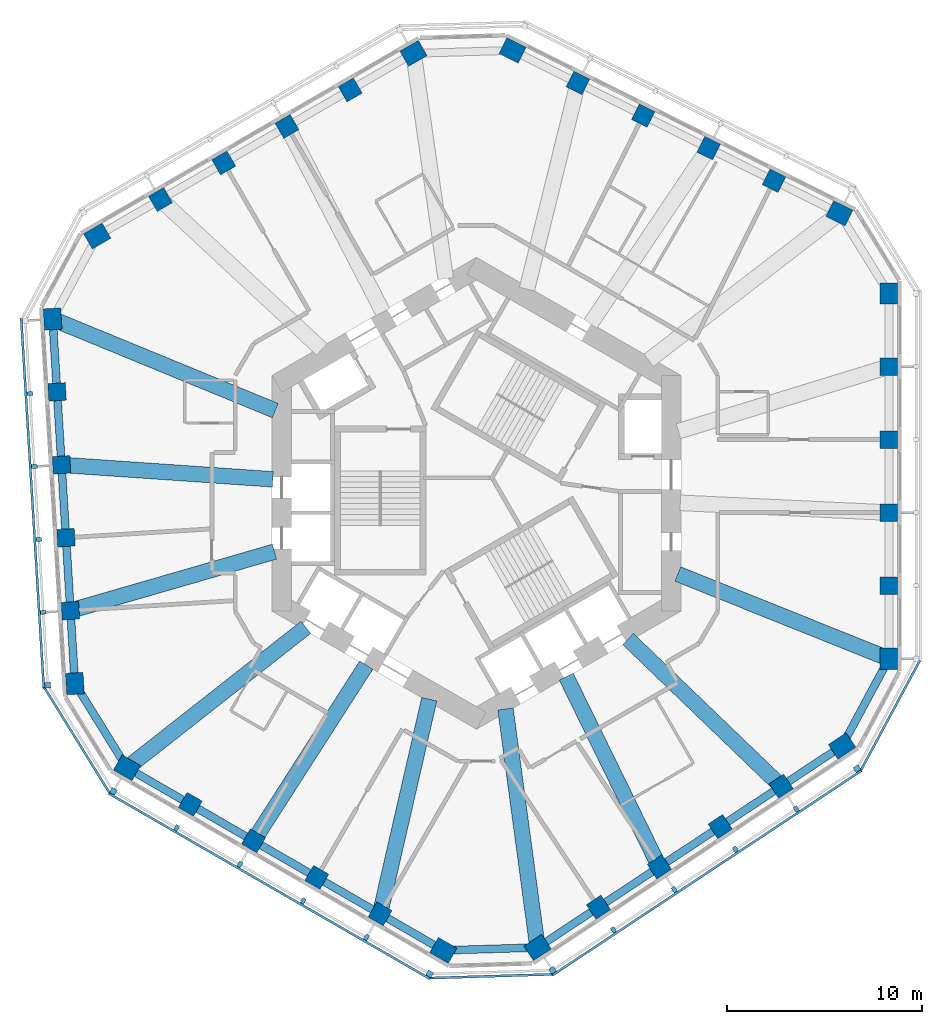
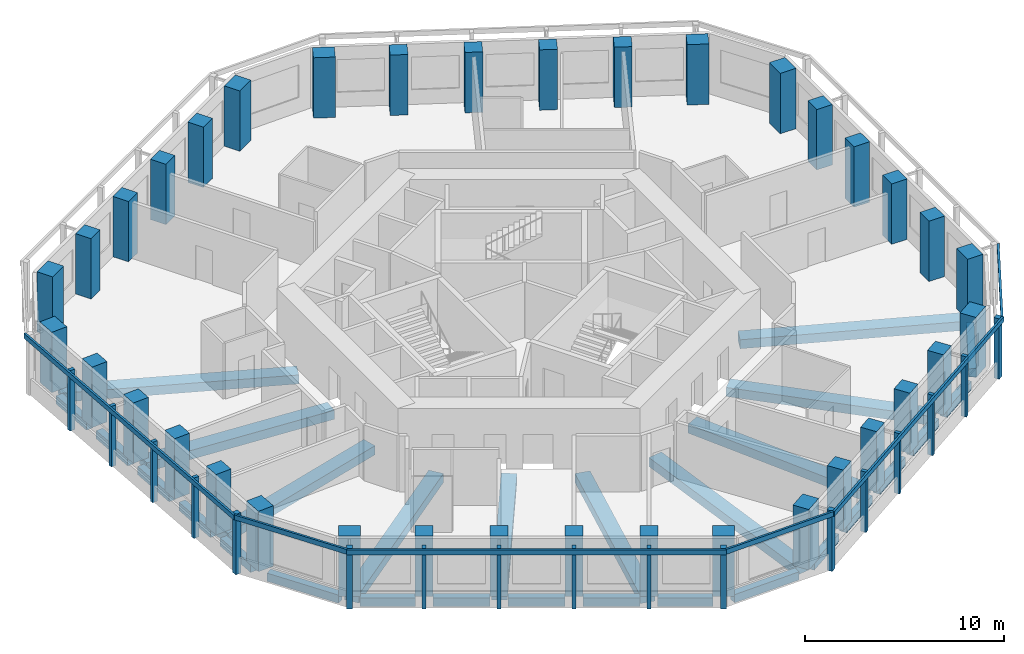
# One storey, part 1 of 11: 36 columns, 28 beams, 23 members, 6 elements without a shape of their own.
"""IFC4 building model written with IfcOpenShell, lengths in metres."""

import ifcopenshell
import ifcopenshell.guid

model = None  # the IFC model being written
_history = None  # IfcOwnerHistory: only IFC2X3 demands one
_inside = {}  # id of a spatial element -> (the spatial element, [elements in it])
_under = {}  # id of a project, library or spatial element -> (it, [spatial elements below it])
_declared = {}  # id of a project -> (the project, [libraries it declares])
_typed = {}  # id of a type object -> (the type object, [elements of that type])
_made_of = {}  # id of a material, layer set ... -> (it, [elements and type objects made of it])


def new_model(schema):
    """Start an empty IFC model of exactly this schema.

    Asked for "IFC4X3", IfcOpenShell would pick the latest addendum, in which some entities
    have other attributes; the version numbers below select the first issue.
    IFC2X3 requires an IfcOwnerHistory on every rooted entity: one is made here for all.
    """
    global model, _history
    if schema == "IFC4X3":
        model = ifcopenshell.file(schema_version=(4, 3, 0, 0))
    else:
        model = ifcopenshell.file(schema=schema)
    _inside.clear()
    _under.clear()
    _declared.clear()
    _typed.clear()
    _made_of.clear()
    _history = None
    if model.schema == "IFC2X3":
        org = make("IfcOrganization", Name="unknown")
        user = make(
            "IfcPersonAndOrganization",
            ThePerson=make("IfcPerson", FamilyName="unknown"),
            TheOrganization=org,
        )
        app = make(
            "IfcApplication",
            ApplicationDeveloper=org,
            Version="unknown",
            ApplicationFullName="unknown",
            ApplicationIdentifier="unknown",
        )
        _history = make(
            "IfcOwnerHistory",
            OwningUser=user,
            OwningApplication=app,
            ChangeAction="ADDED",
            CreationDate=0,
        )
    return model


def make(cls, **values):
    """One entity of the class cls with the attributes given. An attribute that is None is left unset."""
    return model.create_entity(
        cls, **{name: value for name, value in values.items() if value is not None}
    )


def rooted(cls, **values):
    """An entity with a GlobalId (a new one), such as an element, a storey or a relation."""
    return make(cls, GlobalId=ifcopenshell.guid.new(), OwnerHistory=_history, **values)


def si_unit(unit_type, name, prefix=None):
    """IfcSIUnit, for example si_unit("LENGTHUNIT", "METRE", prefix="MILLI")."""
    return make("IfcSIUnit", UnitType=unit_type, Prefix=prefix, Name=name)


def assignment(units):
    """IfcUnitAssignment: the units of a project."""
    return None if units is None else make("IfcUnitAssignment", Units=units)


def point(xyz):
    """IfcCartesianPoint."""
    return None if xyz is None else make("IfcCartesianPoint", Coordinates=xyz)


def direction(xyz):
    """IfcDirection."""
    return None if xyz is None else make("IfcDirection", DirectionRatios=xyz)


def frame(location, z_axis=None, x_axis=None):
    """IfcAxis2Placement3D, a coordinate frame: its origin and axes. An axis left out is left unset."""
    return make(
        "IfcAxis2Placement3D",
        Location=point(location),
        Axis=direction(z_axis),
        RefDirection=direction(x_axis),
    )


def frame_2d(location, x_axis=None):
    """IfcAxis2Placement2D, a coordinate frame in the plane: its origin and x axis."""
    return make(
        "IfcAxis2Placement2D", Location=point(location), RefDirection=direction(x_axis)
    )


def origin():
    """The frame at (0, 0, 0) with its axes left unset."""
    return frame((0.0, 0.0, 0.0))


def origin_2d():
    """The frame at (0, 0) in the plane with its x axis left unset."""
    return frame_2d((0.0, 0.0))


def place(relative_to, where):
    """IfcLocalPlacement: puts the frame where relative to a parent placement (None: the world)."""
    return make(
        "IfcLocalPlacement", PlacementRelTo=relative_to, RelativePlacement=where
    )


def context(
    kind, dimensions, precision=None, world=None, true_north=None, identifier=None
):
    """IfcGeometricRepresentationContext, for example the 3D "Model" context."""
    return make(
        "IfcGeometricRepresentationContext",
        ContextIdentifier=identifier,
        ContextType=kind,
        CoordinateSpaceDimension=dimensions,
        Precision=precision,
        WorldCoordinateSystem=world,
        TrueNorth=true_north,
    )


def subcontext(parent, identifier, kind, view, scale=None):
    """IfcGeometricRepresentationSubContext, for example "Body" below "Model"."""
    return make(
        "IfcGeometricRepresentationSubContext",
        ContextIdentifier=identifier,
        ContextType=kind,
        ParentContext=parent,
        TargetScale=scale,
        TargetView=view,
    )


def project(units=None, contexts=None):
    """IfcProject with its units and contexts."""
    return rooted(
        "IfcProject",
        Name="project",
        RepresentationContexts=contexts,
        UnitsInContext=assignment(units),
    )


def spatial(cls, under=None, at=None, **own):
    """A site, building, storey or space (cls), placed at a placement, below another one or the project."""
    s = rooted(cls, ObjectPlacement=at, **own)
    if under is not None:
        _under.setdefault(under.id(), (under, []))[1].append(s)
    return s


def profile(cls, at=None, kind="AREA", **sizes):
    """A parametric profile (cls). Its sizes go by their IFC names, for example OverallWidth=200.0."""
    return make(cls, ProfileType=kind, Position=at, **sizes)


def rectangle(**sizes):
    """IfcRectangleProfileDef."""
    return profile("IfcRectangleProfileDef", **sizes)


def extrude(swept, where, along, depth):
    """IfcExtrudedAreaSolid: the profile swept, set in the frame where, extruded along a direction by depth."""
    return make(
        "IfcExtrudedAreaSolid",
        SweptArea=swept,
        Position=where,
        ExtrudedDirection=direction(along),
        Depth=depth,
    )


def shape(context_of_items, identifier, shape_type, items):
    """IfcShapeRepresentation: the items that make up one representation, for example the "Body"."""
    return make(
        "IfcShapeRepresentation",
        ContextOfItems=context_of_items,
        RepresentationIdentifier=identifier,
        RepresentationType=shape_type,
        Items=items,
    )


def material(Name=None, Category=None):
    """IfcMaterial."""
    return make("IfcMaterial", Name=Name, Category=Category)


def material_profile(
    of_material, cross_section, Name=None, Category=None, Priority=None
):
    """IfcMaterialProfile: a cross section and its material."""
    return make(
        "IfcMaterialProfile",
        Name=Name,
        Material=of_material,
        Profile=cross_section,
        Priority=Priority,
        Category=Category,
    )


def profile_set(profiles, Name=None, composite=None):
    """IfcMaterialProfileSet."""
    return make(
        "IfcMaterialProfileSet",
        Name=Name,
        MaterialProfiles=profiles,
        CompositeProfile=composite,
    )


def made_of(thing, what):
    """Note that an element or type object is made of a material, layer set ...; save() writes the relation."""
    if what is not None:
        _made_of.setdefault(what.id(), (what, []))[1].append(thing)
    return thing


def type_object(cls, material=None, **own):
    """A type object (cls), such as IfcWallType, which elements share."""
    return made_of(rooted(cls, **own), material)


def element(
    cls,
    number,
    at=None,
    inside=None,
    cuts=None,
    type_object=None,
    material=None,
    context=None,
    identifier="Body",
    shape_type=None,
    held_by="IfcProductDefinitionShape",
    body=None,
    shapes=None,
    **own,
):
    """One element of the class cls, such as IfcWall. Its Tag is "e" and its number.

    at: its placement. inside: the storey or other place that contains it. cuts: it is an
    opening in that element (IfcRelVoidsElement). A single representation is given by context,
    identifier, shape_type and body (its items); several are given by shapes. held_by: the class
    of the entity that holds the representations. save() writes the other relations.
    """
    e = rooted(cls, Tag="e%d" % number, ObjectPlacement=at, **own)
    if body is not None:
        shapes = [shape(context, identifier, shape_type, body)]
    if shapes is not None:
        e.Representation = make(held_by, Representations=shapes)
    if inside is not None:
        _inside.setdefault(inside.id(), (inside, []))[1].append(e)
    if cuts is not None:
        rooted(
            "IfcRelVoidsElement", RelatingBuildingElement=cuts, RelatedOpeningElement=e
        )
    if type_object is not None:
        _typed.setdefault(type_object.id(), (type_object, []))[1].append(e)
    return made_of(e, material)


def aggregate(whole, parts):
    """IfcRelAggregates: a whole, such as a stair, and the parts it consists of."""
    return rooted("IfcRelAggregates", RelatingObject=whole, RelatedObjects=parts)


def save(model, path):
    """Write the relations noted so far, then the file.

    IfcRelAggregates (storeys below a building ...), IfcRelContainedInSpatialStructure (elements
    in a storey), IfcRelDefinesByType, IfcRelAssociatesMaterial and IfcRelDeclares: one each for
    every whole, place, type object, material and project.
    """
    for whole, parts in _under.values():
        aggregate(whole, parts)
    for where, things in _inside.values():
        rooted(
            "IfcRelContainedInSpatialStructure",
            RelatedElements=things,
            RelatingStructure=where,
        )
    for kind, things in _typed.values():
        rooted("IfcRelDefinesByType", RelatedObjects=things, RelatingType=kind)
    for what, things in _made_of.values():
        rooted("IfcRelAssociatesMaterial", RelatedObjects=things, RelatingMaterial=what)
    for by, libraries in _declared.values():
        rooted("IfcRelDeclares", RelatingContext=by, RelatedDefinitions=libraries)
    model.write(path)


model = new_model("IFC4")

# Units and contexts
model_context = context("Model", 3, precision=1e-05, world=origin(), true_north=direction((0.0, 1.0)))
body_context = subcontext(model_context, "Body", "Model", "MODEL_VIEW")
ifc_project = project(units=[si_unit("LENGTHUNIT", "METRE"), si_unit("AREAUNIT", "SQUARE_METRE"), si_unit("VOLUMEUNIT", "CUBIC_METRE"), si_unit("PLANEANGLEUNIT", "RADIAN"), si_unit("MASSUNIT", "GRAM", prefix="KILO")], contexts=[model_context])

# Site, building, storey
site_placement = place(None, origin())
site = spatial("IfcSite", under=ifc_project, at=site_placement, CompositionType="ELEMENT")
building_placement = place(site_placement, origin())
building = spatial("IfcBuilding", under=site, at=building_placement, Name="Vanh Sen Convention Tower", CompositionType="ELEMENT")
storey_placement = place(building_placement, frame((0.0, 0.0, 187.300048828125)))
storey = spatial("IfcBuildingStorey", under=building, at=storey_placement, Name="L46", CompositionType="ELEMENT", Elevation=187.300048828125)

# Columns
ifc_material_1 = material(Name="Concrete C80/95", Category="concrete")
ifc_material_profile_1 = material_profile(ifc_material_1, rectangle(XDim=0.89990234375, YDim=0.89990234375, at=origin_2d()), Name="RC 900X900")
ifc_profile_set_1 = profile_set([ifc_material_profile_1], Name="Concrete C80/95")
column_type_1 = type_object("IfcColumnType", Name="Facade column 900 x 900 C80/95", PredefinedType="COLUMN", material=ifc_profile_set_1)
for number, where, z_axis, x_axis, name in (
    (1, (21.199951171875, -4.746826171875, 0.0), (0.0, 0.0, 1.0), (0.0, 1.0, 0.0), "Facade column 02 L46"),
    (2, (21.199951171875, -0.992919921875, 0.0), (0.0, 0.0, 1.0), (0.0, 1.0, 0.0), "Facade column 03 L46"),
    (3, (21.199951171875, 2.76123046875, 0.0), (0.0, 0.0, 1.0), (0.0, 1.0, 0.0), "Facade column 04 L46"),
    (4, (21.199951171875, 6.515380859375, 0.0), (0.0, 0.0, 1.0), (0.0, 1.0, 0.0), "Facade column 05 L46"),
    (5, (15.290283203125, 16.0654296875, 0.0), (0.0, 0.0, 1.0), (-0.894934361602, 0.44619781311, 0.0), "Facade column 08 L46"),
    (6, (11.9306640625, 17.740478515625, 0.0), (0.0, 0.0, 1.0), (-0.894934361602, 0.44619781311, 0.0), "Facade column 09 L46"),
    (7, (8.57080078125, 19.41552734375, 0.0), (0.0, 0.0, 1.0), (-0.894934361602, 0.44619781311, 0.0), "Facade column 10 L46"),
    (8, (5.211181640625, 21.0908203125, 0.0), (0.0, 0.0, 1.0), (-0.894934361602, 0.44619781311, 0.0), "Facade column 11 L46"),
    (9, (-6.489013671875, 20.733154296875, 0.0), (0.0, 0.0, 1.0), (-0.866025403784, -0.5, 0.0), "Facade column 14 L46"),
    (10, (-9.740234375, 18.856201171875, 0.0), (0.0, 0.0, 1.0), (-0.866025403784, -0.5, 0.0), "Facade column 15 L46"),
    (11, (-12.991455078125, 16.97900390625, 0.0), (0.0, 0.0, 1.0), (-0.866025403784, -0.5, 0.0), "Facade column 16 L46"),
    (12, (-16.242431640625, 15.10205078125, 0.0), (0.0, 0.0, 1.0), (-0.866025403784, -0.5, 0.0), "Facade column 17 L46"),
    (13, (-21.55810546875, 5.208984375, 0.0), (0.0, 0.0, 1.0), (0.061048539535, -0.998134798422, 0.0), "Facade column 20 L46"),
    (14, (-21.3291015625, 1.4619140625, 0.0), (0.0, 0.0, 1.0), (0.061048539535, -0.998134798422, 0.0), "Facade column 21 L46"),
    (15, (-21.099853515625, -2.28515625, 0.0), (0.0, 0.0, 1.0), (0.061048539535, -0.998134798422, 0.0), "Facade column 22 L46"),
    (16, (-20.87060546875, -6.0322265625, 0.0), (0.0, 0.0, 1.0), (0.061048539535, -0.998134798422, 0.0), "Facade column 23 L46"),
    (17, (-14.7109375, -15.986328125, 0.0), (0.0, 0.0, 1.0), (0.866025403784, -0.5, 0.0), "Facade column 26 L46"),
    (18, (-11.459716796875, -17.86328125, 0.0), (0.0, 0.0, 1.0), (0.866025403784, -0.5, 0.0), "Facade column 27 L46"),
    (19, (-8.20849609375, -19.740478515625, 0.0), (0.0, 0.0, 1.0), (0.866025403784, -0.5, 0.0), "Facade column 28 L46"),
    (20, (-4.95751953125, -21.617431640625, 0.0), (0.0, 0.0, 1.0), (0.866025403784, -0.5, 0.0), "Facade column 29 L46"),
    (21, (6.267822265625, -21.2744140625, 0.0), (0.0, 0.0, 1.0), (0.833885822067, 0.551936985312, 0.0), "Facade column 32 L46"),
    (22, (9.3984375, -19.202392578125, 0.0), (0.0, 0.0, 1.0), (0.833885822067, 0.551936985312, 0.0), "Facade column 33 L46"),
    (23, (12.52880859375, -17.13037109375, 0.0), (0.0, 0.0, 1.0), (0.833885822067, 0.551936985312, 0.0), "Facade column 34 L46"),
    (24, (15.659423828125, -15.058349609375, 0.0), (0.0, 0.0, 1.0), (0.833885822067, 0.551936985312, 0.0), "Facade column 35 L46"),
):
    element("IfcColumn", number, at=place(storey_placement, frame(where, z_axis=z_axis, x_axis=x_axis)), inside=storey, type_object=column_type_1, Name=name, PredefinedType="COLUMN", context=body_context, shape_type="SweptSolid", body=[
        extrude(rectangle(XDim=0.89990234375, YDim=0.89990234375, at=origin_2d()), origin(), (0.0, 0.0, 1.0), 3.699951171875),
    ])
ifc_material_profile_2 = material_profile(ifc_material_1, rectangle(XDim=1.10009765625, YDim=0.89990234375, at=origin_2d()), Name="RC 1100X900")
ifc_profile_set_2 = profile_set([ifc_material_profile_2], Name="Concrete C80/95")
column_type_2 = type_object("IfcColumnType", Name="Facade corner column 1100 x 900 C80/95", PredefinedType="COLUMN", material=ifc_profile_set_2)
for number, where, z_axis, x_axis, name in (
    (25, (21.199951171875, -8.5009765625, 0.0), (0.0, 0.0, 1.0), (0.0, 1.0, 0.0), "Facade column 01 L46"),
    (26, (21.199951171875, 10.26953125, 0.0), (0.0, 0.0, 1.0), (0.0, 1.0, 0.0), "Facade column 06 L46"),
    (27, (18.64990234375, 14.390380859375, 0.0), (0.0, 0.0, 1.0), (-0.894934361602, 0.44619781311, 0.0), "Facade column 07 L46"),
    (28, (1.8515625, 22.765625, 0.0), (0.0, 0.0, 1.0), (-0.894934361602, 0.44619781311, 0.0), "Facade column 12 L46"),
    (29, (-3.23779296875, 22.610107421875, 0.0), (0.0, 0.0, 1.0), (-0.866025403784, -0.5, 0.0), "Facade column 13 L46"),
    (30, (-19.49365234375, 13.22509765625, 0.0), (0.0, 0.0, 1.0), (-0.866025403784, -0.5, 0.0), "Facade column 18 L46"),
    (31, (-21.787353515625, 8.956298828125, 0.0), (0.0, 0.0, 1.0), (0.061048539535, -0.998134798422, 0.0), "Facade column 19 L46"),
    (32, (-20.6416015625, -9.779296875, 0.0), (0.0, 0.0, 1.0), (0.061048539535, -0.998134798422, 0.0), "Facade column 24 L46"),
    (33, (-17.962158203125, -14.109130859375, 0.0), (0.0, 0.0, 1.0), (0.866025403784, -0.5, 0.0), "Facade column 25 L46"),
    (34, (-1.706298828125, -23.494384765625, 0.0), (0.0, 0.0, 1.0), (0.866025403784, -0.5, 0.0), "Facade column 30 L46"),
    (35, (3.137451171875, -23.346435546875, 0.0), (0.0, 0.0, 1.0), (0.833885822067, 0.551936985312, 0.0), "Facade column 31 L46"),
    (36, (18.789794921875, -12.986328125, 0.0), (0.0, 0.0, 1.0), (0.833885822067, 0.551936985312, 0.0), "Facade column 36 L46"),
):
    element("IfcColumn", number, at=place(storey_placement, frame(where, z_axis=z_axis, x_axis=x_axis)), inside=storey, type_object=column_type_2, Name=name, PredefinedType="COLUMN", context=body_context, shape_type="SweptSolid", body=[
        extrude(rectangle(XDim=1.10009765625, YDim=0.89990234375, at=origin_2d()), origin(), (0.0, 0.0, 1.0), 3.699951171875),
    ])

# Curtain wall, member
ifc_material_2 = material(Name="Concrete C50/60", Category="concrete")
curtain_wall_type = type_object("IfcCurtainWallType", Name="Outer skin office zone", PredefinedType="NOTDEFINED", material=ifc_material_2)
curtain_wall_1_placement = place(storey_placement, origin())
curtain_wall_1 = element("IfcCurtainWall", 37, at=curtain_wall_1_placement, inside=storey, type_object=curtain_wall_type, Name="OUTER SKIN W L46", PredefinedType="NOTDEFINED")
ifc_material_profile_3 = material_profile(ifc_material_2, rectangle(XDim=0.300048828125, YDim=0.300048828125, at=origin_2d()), Name="Outer skin precast corner fin 300 x 300")
ifc_profile_set_3 = profile_set([ifc_material_profile_3], Name="Concrete C50/60")
member_type_1 = type_object("IfcMemberType", Name="Outer skin precast corner fin 300 x 300", PredefinedType="MULLION", material=ifc_profile_set_3)
member_1_placement = place(storey_placement, frame((-22.038818359375, -9.864990234375, 0.0), z_axis=(0.0, 0.0, 1.0), x_axis=(0.061048539535, -0.998134798422, 0.0)))
member_1 = element("IfcMember", 38, at=member_1_placement, type_object=member_type_1, Name="OUTER SKIN CORNER FIN 6 W L46", PredefinedType="MULLION", context=body_context, shape_type="SweptSolid", body=[
    extrude(rectangle(XDim=0.300048828125, YDim=0.300048828125, at=origin_2d()), origin(), (0.0, 0.0, 1.0), 3.699951171875),
])

# Curtain wall, members
curtain_wall_2_placement = place(storey_placement, origin())
curtain_wall_2 = element("IfcCurtainWall", 39, at=curtain_wall_2_placement, inside=storey, type_object=curtain_wall_type, Name="OUTER SKIN SW L46", PredefinedType="NOTDEFINED")
member_2_placement = place(storey_placement, frame((-18.662109375, -15.321533203125, 0.0), z_axis=(0.0, 0.0, 1.0), x_axis=(0.866025403784, -0.5, 0.0)))
member_2 = element("IfcMember", 40, at=member_2_placement, type_object=member_type_1, Name="OUTER SKIN CORNER FIN 1 SW L46", PredefinedType="MULLION", context=body_context, shape_type="SweptSolid", body=[
    extrude(rectangle(XDim=0.300048828125, YDim=0.300048828125, at=origin_2d()), origin(), (0.0, 0.0, 1.0), 3.699951171875),
])
member_3_placement = place(storey_placement, frame((-2.40625, -24.706787109375, 0.0), z_axis=(0.0, 0.0, 1.0), x_axis=(0.866025403784, -0.5, 0.0)))
member_3 = element("IfcMember", 41, at=member_3_placement, type_object=member_type_1, Name="OUTER SKIN CORNER FIN 6 SW L46", PredefinedType="MULLION", context=body_context, shape_type="SweptSolid", body=[
    extrude(rectangle(XDim=0.300048828125, YDim=0.300048828125, at=origin_2d()), origin(), (0.0, 0.0, 1.0), 3.699951171875),
])

curtain_wall_3_placement = place(storey_placement, origin())
curtain_wall_3 = element("IfcCurtainWall", 42, at=curtain_wall_3_placement, inside=storey, type_object=curtain_wall_type, Name="OUTER SKIN SE L46", PredefinedType="NOTDEFINED")
member_4_placement = place(storey_placement, frame((3.91015625, -24.513916015625, 0.0), z_axis=(0.0, 0.0, 1.0), x_axis=(0.833885822067, 0.551936985312, 0.0)))
member_4 = element("IfcMember", 43, at=member_4_placement, type_object=member_type_1, Name="OUTER SKIN CORNER FIN 1 SE L46", PredefinedType="MULLION", context=body_context, shape_type="SweptSolid", body=[
    extrude(rectangle(XDim=0.300048828125, YDim=0.300048828125, at=origin_2d()), origin(), (0.0, 0.0, 1.0), 3.699951171875),
])
member_5_placement = place(storey_placement, frame((19.5625, -14.15380859375, 0.0), z_axis=(0.0, 0.0, 1.0), x_axis=(0.833885822067, 0.551936985312, 0.0)))
member_5 = element("IfcMember", 44, at=member_5_placement, type_object=member_type_1, Name="OUTER SKIN CORNER FIN 6 SE L46", PredefinedType="MULLION", context=body_context, shape_type="SweptSolid", body=[
    extrude(rectangle(XDim=0.300048828125, YDim=0.300048828125, at=origin_2d()), origin(), (0.0, 0.0, 1.0), 3.699951171875),
])

# Member
ifc_material_profile_4 = material_profile(ifc_material_2, rectangle(XDim=0.199951171875, YDim=0.300048828125, at=origin_2d()), Name="Outer skin precast fin 200 x 300")
ifc_profile_set_4 = profile_set([ifc_material_profile_4], Name="Concrete C50/60")
member_type_2 = type_object("IfcMemberType", Name="Outer skin precast fin 200 x 300", PredefinedType="MULLION", material=ifc_profile_set_4)
member_6_placement = place(storey_placement, frame((-22.95556640625, 5.12353515625, 0.0), z_axis=(0.0, 0.0, 1.0), x_axis=(0.061048539535, -0.998134798422, 0.0)))
member_6 = element("IfcMember", 45, at=member_6_placement, type_object=member_type_2, Name="OUTER SKIN fin 2 W L46", PredefinedType="MULLION", context=body_context, shape_type="SweptSolid", body=[
    extrude(rectangle(XDim=0.199951171875, YDim=0.300048828125, at=origin_2d()), origin(), (0.0, 0.0, 1.0), 3.699951171875),
])

member_7_placement = place(storey_placement, frame((-22.726318359375, 1.37646484375, 0.0), z_axis=(0.0, 0.0, 1.0), x_axis=(0.061048539535, -0.998134798422, 0.0)))
member_7 = element("IfcMember", 46, at=member_7_placement, type_object=member_type_2, Name="OUTER SKIN fin 3 W L46", PredefinedType="MULLION", context=body_context, shape_type="SweptSolid", body=[
    extrude(rectangle(XDim=0.199951171875, YDim=0.300048828125, at=origin_2d()), origin(), (0.0, 0.0, 1.0), 3.699951171875),
])

member_8_placement = place(storey_placement, frame((-22.497314453125, -2.37060546875, 0.0), z_axis=(0.0, 0.0, 1.0), x_axis=(0.061048539535, -0.998134798422, 0.0)))
member_8 = element("IfcMember", 47, at=member_8_placement, type_object=member_type_2, Name="OUTER SKIN fin 4 W L46", PredefinedType="MULLION", context=body_context, shape_type="SweptSolid", body=[
    extrude(rectangle(XDim=0.199951171875, YDim=0.300048828125, at=origin_2d()), origin(), (0.0, 0.0, 1.0), 3.699951171875),
])

member_9_placement = place(storey_placement, frame((-22.26806640625, -6.117919921875, 0.0), z_axis=(0.0, 0.0, 1.0), x_axis=(0.061048539535, -0.998134798422, 0.0)))
member_9 = element("IfcMember", 48, at=member_9_placement, type_object=member_type_2, Name="OUTER SKIN fin 5 W L46", PredefinedType="MULLION", context=body_context, shape_type="SweptSolid", body=[
    extrude(rectangle(XDim=0.199951171875, YDim=0.300048828125, at=origin_2d()), origin(), (0.0, 0.0, 1.0), 3.699951171875),
])

member_10_placement = place(storey_placement, frame((-15.410888671875, -17.19873046875, 0.0), z_axis=(0.0, 0.0, 1.0), x_axis=(0.866025403784, -0.5, 0.0)))
member_10 = element("IfcMember", 49, at=member_10_placement, type_object=member_type_2, Name="OUTER SKIN fin 2 SW L46", PredefinedType="MULLION", context=body_context, shape_type="SweptSolid", body=[
    extrude(rectangle(XDim=0.199951171875, YDim=0.300048828125, at=origin_2d()), origin(), (0.0, 0.0, 1.0), 3.699951171875),
])

member_11_placement = place(storey_placement, frame((-12.159912109375, -19.07568359375, 0.0), z_axis=(0.0, 0.0, 1.0), x_axis=(0.866025403784, -0.5, 0.0)))
member_11 = element("IfcMember", 50, at=member_11_placement, type_object=member_type_2, Name="OUTER SKIN fin 3 SW L46", PredefinedType="MULLION", context=body_context, shape_type="SweptSolid", body=[
    extrude(rectangle(XDim=0.199951171875, YDim=0.300048828125, at=origin_2d()), origin(), (0.0, 0.0, 1.0), 3.699951171875),
])

member_12_placement = place(storey_placement, frame((-8.90869140625, -20.952880859375, 0.0), z_axis=(0.0, 0.0, 1.0), x_axis=(0.866025403784, -0.5, 0.0)))
member_12 = element("IfcMember", 51, at=member_12_placement, type_object=member_type_2, Name="OUTER SKIN fin 4 SW L46", PredefinedType="MULLION", context=body_context, shape_type="SweptSolid", body=[
    extrude(rectangle(XDim=0.199951171875, YDim=0.300048828125, at=origin_2d()), origin(), (0.0, 0.0, 1.0), 3.699951171875),
])

member_13_placement = place(storey_placement, frame((-5.657470703125, -22.829833984375, 0.0), z_axis=(0.0, 0.0, 1.0), x_axis=(0.866025403784, -0.5, 0.0)))
member_13 = element("IfcMember", 52, at=member_13_placement, type_object=member_type_2, Name="OUTER SKIN fin 5 SW L46", PredefinedType="MULLION", context=body_context, shape_type="SweptSolid", body=[
    extrude(rectangle(XDim=0.199951171875, YDim=0.300048828125, at=origin_2d()), origin(), (0.0, 0.0, 1.0), 3.699951171875),
])

member_14_placement = place(storey_placement, frame((7.04052734375, -22.44189453125, 0.0), z_axis=(0.0, 0.0, 1.0), x_axis=(0.833885822067, 0.551936985312, 0.0)))
member_14 = element("IfcMember", 53, at=member_14_placement, type_object=member_type_2, Name="OUTER SKIN fin 2 SE L46", PredefinedType="MULLION", context=body_context, shape_type="SweptSolid", body=[
    extrude(rectangle(XDim=0.199951171875, YDim=0.300048828125, at=origin_2d()), origin(), (0.0, 0.0, 1.0), 3.699951171875),
])

member_15_placement = place(storey_placement, frame((10.171142578125, -20.369873046875, 0.0), z_axis=(0.0, 0.0, 1.0), x_axis=(0.833885822067, 0.551936985312, 0.0)))
member_15 = element("IfcMember", 54, at=member_15_placement, type_object=member_type_2, Name="OUTER SKIN fin 3 SE L46", PredefinedType="MULLION", context=body_context, shape_type="SweptSolid", body=[
    extrude(rectangle(XDim=0.199951171875, YDim=0.300048828125, at=origin_2d()), origin(), (0.0, 0.0, 1.0), 3.699951171875),
])

member_16_placement = place(storey_placement, frame((13.301513671875, -18.2978515625, 0.0), z_axis=(0.0, 0.0, 1.0), x_axis=(0.833885822067, 0.551936985312, 0.0)))
member_16 = element("IfcMember", 55, at=member_16_placement, type_object=member_type_2, Name="OUTER SKIN fin 4 SE L46", PredefinedType="MULLION", context=body_context, shape_type="SweptSolid", body=[
    extrude(rectangle(XDim=0.199951171875, YDim=0.300048828125, at=origin_2d()), origin(), (0.0, 0.0, 1.0), 3.699951171875),
])

member_17_placement = place(storey_placement, frame((16.43212890625, -16.225830078125, 0.0), z_axis=(0.0, 0.0, 1.0), x_axis=(0.833885822067, 0.551936985312, 0.0)))
member_17 = element("IfcMember", 56, at=member_17_placement, type_object=member_type_2, Name="OUTER SKIN fin 5 SE L46", PredefinedType="MULLION", context=body_context, shape_type="SweptSolid", body=[
    extrude(rectangle(XDim=0.199951171875, YDim=0.300048828125, at=origin_2d()), origin(), (0.0, 0.0, 1.0), 3.699951171875),
])

ifc_material_profile_5 = material_profile(ifc_material_2, rectangle(XDim=0.1201171875, YDim=0.300048828125, at=origin_2d()), Name="Outer skin precast spandrel band 300 x 120")
ifc_profile_set_5 = profile_set([ifc_material_profile_5], Name="Concrete C50/60")
member_type_3 = type_object("IfcMemberType", Name="Outer skin precast spandrel band 300 x 120", PredefinedType="USERDEFINED", material=ifc_profile_set_5)
member_18_placement = place(storey_placement, frame((-23.403564453125, 9.007568359375, 3.550048828125), z_axis=(0.061052799403, -0.998134537868, 0.0), x_axis=(0.998134537868, 0.061052799403, 0.0)))
member_18 = element("IfcMember", 57, at=member_18_placement, type_object=member_type_3, Name="OUTER SKIN spandrel band W L46", ObjectType="TRANSOM", PredefinedType="USERDEFINED", context=body_context, shape_type="SweptSolid", body=[
    extrude(rectangle(XDim=0.1201171875, YDim=0.300048828125, at=origin_2d()), origin(), (0.0, 0.0, 1.0), 19.070556640625),
])

aggregate(curtain_wall_1, [member_6, member_7, member_8, member_9, member_1, member_18])

# Curtain wall, member
curtain_wall_4_placement = place(storey_placement, origin())
curtain_wall_4 = element("IfcCurtainWall", 58, at=curtain_wall_4_placement, inside=storey, type_object=curtain_wall_type, Name="OUTER SKIN CH4 L46", PredefinedType="NOTDEFINED")
member_19_placement = place(storey_placement, frame((-22.217529296875, -9.975341796875, 3.550048828125), z_axis=(0.526207913146, -0.85035594438, 0.0), x_axis=(0.85035594438, 0.526207913146, 0.0)))
member_19 = element("IfcMember", 59, at=member_19_placement, type_object=member_type_3, Name="OUTER SKIN spandrel band CH4 L46", ObjectType="TRANSOM", PredefinedType="USERDEFINED", context=body_context, shape_type="SweptSolid", body=[
    extrude(rectangle(XDim=0.1201171875, YDim=0.300048828125, at=origin_2d()), origin(), (0.0, 0.0, 1.0), 6.4169921875),
])
aggregate(curtain_wall_4, [member_19])

# Member
member_20_placement = place(storey_placement, frame((-18.89697265625, -15.428466796875, 3.550048828125), z_axis=(0.866023136587, -0.500003926881, 0.0), x_axis=(0.500003926881, 0.866023136587, 0.0)))
member_20 = element("IfcMember", 60, at=member_20_placement, type_object=member_type_3, Name="OUTER SKIN spandrel band SW L46", ObjectType="TRANSOM", PredefinedType="USERDEFINED", context=body_context, shape_type="SweptSolid", body=[
    extrude(rectangle(XDim=0.1201171875, YDim=0.300048828125, at=origin_2d()), origin(), (0.0, 0.0, 1.0), 19.070556640625),
])

aggregate(curtain_wall_2, [member_2, member_10, member_11, member_12, member_13, member_3, member_20])

# Curtain wall, member
curtain_wall_5_placement = place(storey_placement, origin())
curtain_wall_5 = element("IfcCurtainWall", 61, at=curtain_wall_5_placement, inside=storey, type_object=curtain_wall_type, Name="OUTER SKIN CH5 L46", PredefinedType="NOTDEFINED")
member_21_placement = place(storey_placement, frame((-2.39990234375, -24.916748046875, 3.550048828125), z_axis=(0.99953413443, 0.030520716071, 0.0), x_axis=(-0.030520716071, 0.99953413443, 0.0)))
member_21 = element("IfcMember", 62, at=member_21_placement, type_object=member_type_3, Name="OUTER SKIN spandrel band CH5 L46", ObjectType="TRANSOM", PredefinedType="USERDEFINED", context=body_context, shape_type="SweptSolid", body=[
    extrude(rectangle(XDim=0.1201171875, YDim=0.300048828125, at=origin_2d()), origin(), (0.0, 0.0, 1.0), 6.3193359375),
])
aggregate(curtain_wall_5, [member_21])

# Member
member_22_placement = place(storey_placement, frame((3.90087890625, -24.771728515625, 3.550048828125), z_axis=(0.833891134859, 0.551928958475, 0.0), x_axis=(-0.551928958475, 0.833891134859, 0.0)))
member_22 = element("IfcMember", 63, at=member_22_placement, type_object=member_type_3, Name="OUTER SKIN spandrel band SE L46", ObjectType="TRANSOM", PredefinedType="USERDEFINED", context=body_context, shape_type="SweptSolid", body=[
    extrude(rectangle(XDim=0.1201171875, YDim=0.300048828125, at=origin_2d()), origin(), (0.0, 0.0, 1.0), 19.070556640625),
])

aggregate(curtain_wall_3, [member_4, member_14, member_15, member_16, member_17, member_5, member_22])

# Curtain wall, member
curtain_wall_6_placement = place(storey_placement, origin())
curtain_wall_6 = element("IfcCurtainWall", 64, at=curtain_wall_6_placement, inside=storey, type_object=curtain_wall_type, Name="OUTER SKIN CH6 L46", PredefinedType="NOTDEFINED")
member_23_placement = place(storey_placement, frame((19.74755859375, -14.253173828125, 3.550048828125), z_axis=(0.473316922434, 0.880892213008, 0.0), x_axis=(-0.880892213008, 0.473316922434, 0.0)))
member_23 = element("IfcMember", 65, at=member_23_placement, type_object=member_type_3, Name="OUTER SKIN spandrel band CH6 L46", ObjectType="TRANSOM", PredefinedType="USERDEFINED", context=body_context, shape_type="SweptSolid", body=[
    extrude(rectangle(XDim=0.1201171875, YDim=0.300048828125, at=origin_2d()), origin(), (0.0, 0.0, 1.0), 6.417236328125),
])
aggregate(curtain_wall_6, [member_23])

# Beams
ifc_material_3 = material(Name="Concrete C50/60", Category="concrete")
ifc_material_profile_6 = material_profile(ifc_material_3, rectangle(XDim=0.800048828125, YDim=0.550048828125, at=origin_2d()), Name="RC 800X550")
ifc_profile_set_6 = profile_set([ifc_material_profile_6], Name="Concrete C50/60")
beam_type_1 = type_object("IfcBeamType", Name="Radial floor beam 800 x 550", PredefinedType="BEAM", material=ifc_profile_set_6)
beam_1_placement = place(storey_placement, frame((20.903564453125, -8.382080078125, -0.554931640625), z_axis=(-0.928156603648, 0.372189896565, 0.0), x_axis=(-0.372189896565, -0.928156603648, 0.0)))
element("IfcBeam", 66, at=beam_1_placement, inside=storey, type_object=beam_type_1, Name="Radial beam 01 L46", PredefinedType="BEAM", context=body_context, shape_type="SweptSolid", body=[
    extrude(rectangle(XDim=0.800048828125, YDim=0.550048828125, at=origin_2d()), origin(), (0.0, 0.0, 1.0), 11.374267578125),
])
beam_2_placement = place(storey_placement, frame((-21.5087890625, 8.841796875, -0.554931640625), z_axis=(0.924896155716, -0.38021980635, 0.0), x_axis=(0.38021980635, 0.924896155716, 0.0)))
element("IfcBeam", 67, at=beam_2_placement, inside=storey, type_object=beam_type_1, Name="Radial beam 10 L46", PredefinedType="BEAM", context=body_context, shape_type="SweptSolid", body=[
    extrude(rectangle(XDim=0.800048828125, YDim=0.550048828125, at=origin_2d()), origin(), (0.0, 0.0, 1.0), 12.072265625),
])
beam_3_placement = place(storey_placement, frame((-20.93310546875, 1.434814453125, -0.554931640625), z_axis=(0.997659434277, -0.068378748143, 0.0), x_axis=(0.068378748143, 0.997659434277, 0.0)))
element("IfcBeam", 68, at=beam_3_placement, inside=storey, type_object=beam_type_1, Name="Radial beam 11 L46", PredefinedType="BEAM", context=body_context, shape_type="SweptSolid", body=[
    extrude(rectangle(XDim=0.800048828125, YDim=0.550048828125, at=origin_2d()), origin(), (0.0, 0.0, 1.0), 10.489990234375),
])
beam_4_placement = place(storey_placement, frame((-20.61328125, -5.9580078125, -0.554931640625), z_axis=(0.96067232832, 0.277684492906, 0.0), x_axis=(-0.277684492906, 0.96067232832, 0.0)))
element("IfcBeam", 69, at=beam_4_placement, inside=storey, type_object=beam_type_1, Name="Radial beam 12 L46", PredefinedType="BEAM", context=body_context, shape_type="SweptSolid", body=[
    extrude(rectangle(XDim=0.800048828125, YDim=0.550048828125, at=origin_2d()), origin(), (0.0, 0.0, 1.0), 10.64794921875),
])
beam_5_placement = place(storey_placement, frame((-17.7109375, -13.911865234375, -0.554931640625), z_axis=(0.786403987122, 0.617712529449, 0.0), x_axis=(-0.617712529449, 0.786403987122, 0.0)))
element("IfcBeam", 70, at=beam_5_placement, inside=storey, type_object=beam_type_1, Name="Radial beam 13 L46", PredefinedType="BEAM", context=body_context, shape_type="SweptSolid", body=[
    extrude(rectangle(XDim=0.800048828125, YDim=0.550048828125, at=origin_2d()), origin(), (0.0, 0.0, 1.0), 11.3740234375),
])
beam_6_placement = place(storey_placement, frame((-11.2294921875, -17.504150390625, -0.554931640625), z_axis=(0.539967356894, 0.841685958947, 0.0), x_axis=(-0.841685958947, 0.539967356894, 0.0)))
element("IfcBeam", 71, at=beam_6_placement, inside=storey, type_object=beam_type_1, Name="Radial beam 14 L46", PredefinedType="BEAM", context=body_context, shape_type="SweptSolid", body=[
    extrude(rectangle(XDim=0.800048828125, YDim=0.550048828125, at=origin_2d()), origin(), (0.0, 0.0, 1.0), 10.308837890625),
])
beam_7_placement = place(storey_placement, frame((-4.9072265625, -21.39794921875, -0.554931640625), z_axis=(0.223532057965, 0.974696577947, 0.0), x_axis=(-0.974696577947, 0.223532057965, 0.0)))
element("IfcBeam", 72, at=beam_7_placement, inside=storey, type_object=beam_type_1, Name="Radial beam 15 L46", PredefinedType="BEAM", context=body_context, shape_type="SweptSolid", body=[
    extrude(rectangle(XDim=0.800048828125, YDim=0.550048828125, at=origin_2d()), origin(), (0.0, 0.0, 1.0), 11.0966796875),
])
beam_8_placement = place(storey_placement, frame((3.097412109375, -23.0478515625, -0.554931640625), z_axis=(-0.133194270132, 0.991089948695, 0.0), x_axis=(-0.991089948695, -0.133194270132, 0.0)))
element("IfcBeam", 73, at=beam_8_placement, inside=storey, type_object=beam_type_1, Name="Radial beam 16 L46", PredefinedType="BEAM", context=body_context, shape_type="SweptSolid", body=[
    extrude(rectangle(XDim=0.800048828125, YDim=0.550048828125, at=origin_2d()), origin(), (0.0, 0.0, 1.0), 12.072021484375),
])
beam_9_placement = place(storey_placement, frame((9.22412109375, -18.84619140625, -0.554931640625), z_axis=(-0.439610391955, 0.898188567777, 0.0), x_axis=(-0.898188567777, -0.439610391955, 0.0)))
element("IfcBeam", 74, at=beam_9_placement, inside=storey, type_object=beam_type_1, Name="Radial beam 17 L46", PredefinedType="BEAM", context=body_context, shape_type="SweptSolid", body=[
    extrude(rectangle(XDim=0.800048828125, YDim=0.550048828125, at=origin_2d()), origin(), (0.0, 0.0, 1.0), 10.490234375),
])
beam_10_placement = place(storey_placement, frame((15.46630859375, -14.87255859375, -0.554931640625), z_axis=(-0.720808831616, 0.693133917987, 0.0), x_axis=(-0.693133917987, -0.720808831616, 0.0)))
element("IfcBeam", 75, at=beam_10_placement, inside=storey, type_object=beam_type_1, Name="Radial beam 18 L46", PredefinedType="BEAM", context=body_context, shape_type="SweptSolid", body=[
    extrude(rectangle(XDim=0.800048828125, YDim=0.550048828125, at=origin_2d()), origin(), (0.0, 0.0, 1.0), 10.64794921875),
])
ifc_material_profile_7 = material_profile(ifc_material_3, rectangle(XDim=0.39990234375, YDim=0.5, at=origin_2d()), Name="RC 400X500")
ifc_profile_set_7 = profile_set([ifc_material_profile_7], Name="Concrete C50/60")
beam_type_2 = type_object("IfcBeamType", Name="Spandrel beam 400 x 500", PredefinedType="SPANDREL", material=ifc_profile_set_7)
beam_11_placement = place(storey_placement, frame((-21.754150390625, 8.412353515625, -0.530029296875), z_axis=(0.061031049006, -0.998135868035, 0.0), x_axis=(0.998135868035, 0.061031049006, 0.0)))
element("IfcBeam", 76, at=beam_11_placement, inside=storey, type_object=beam_type_2, Name="Spandrel beam 19 L46", PredefinedType="SPANDREL", context=body_context, shape_type="SweptSolid", body=[
    extrude(rectangle(XDim=0.39990234375, YDim=0.5, at=origin_2d()), origin(), (0.0, 0.0, 1.0), 2.76416015625),
])
for number, where, z_axis, x_axis, name in (
    (77, (-21.531005859375, 4.764892578125, -0.530029296875), (0.06103034265, -0.998135911225, 0.0), (0.998135911225, 0.06103034265, 0.0), "Spandrel beam 20 L46"),
    (78, (-21.3017578125, 1.017822265625, -0.530029296875), (0.06103034265, -0.998135911225, 0.0), (0.998135911225, 0.06103034265, 0.0), "Spandrel beam 21 L46"),
):
    element("IfcBeam", number, at=place(storey_placement, frame(where, z_axis=z_axis, x_axis=x_axis)), inside=storey, type_object=beam_type_2, Name=name, PredefinedType="SPANDREL", context=body_context, shape_type="SweptSolid", body=[
        extrude(rectangle(XDim=0.39990234375, YDim=0.5, at=origin_2d()), origin(), (0.0, 0.0, 1.0), 2.8642578125),
    ])
beam_12_placement = place(storey_placement, frame((-21.072509765625, -2.7294921875, -0.530029296875), z_axis=(0.060950607236, -0.998140783396, 0.0), x_axis=(0.998140783396, 0.060950607236, 0.0)))
element("IfcBeam", 79, at=beam_12_placement, inside=storey, type_object=beam_type_2, Name="Spandrel beam 22 L46", PredefinedType="SPANDREL", context=body_context, shape_type="SweptSolid", body=[
    extrude(rectangle(XDim=0.39990234375, YDim=0.5, at=origin_2d()), origin(), (0.0, 0.0, 1.0), 2.864013671875),
])
beam_13_placement = place(storey_placement, frame((-20.843505859375, -6.476318359375, -0.530029296875), z_axis=(0.061025669095, -0.998136196975, 0.0), x_axis=(0.998136196975, 0.061025669095, 0.0)))
element("IfcBeam", 80, at=beam_13_placement, inside=storey, type_object=beam_type_2, Name="Spandrel beam 23 L46", PredefinedType="SPANDREL", context=body_context, shape_type="SweptSolid", body=[
    extrude(rectangle(XDim=0.39990234375, YDim=0.5, at=origin_2d()), origin(), (0.0, 0.0, 1.0), 2.764404296875),
])
beam_14_placement = place(storey_placement, frame((-20.3720703125, -10.214599609375, -0.530029296875), z_axis=(0.526212046854, -0.850353386391, 0.0), x_axis=(0.850353386391, 0.526212046854, 0.0)))
element("IfcBeam", 81, at=beam_14_placement, inside=storey, type_object=beam_type_2, Name="Spandrel beam 24 L46", PredefinedType="SPANDREL", context=body_context, shape_type="SweptSolid", body=[
    extrude(rectangle(XDim=0.39990234375, YDim=0.5, at=origin_2d()), origin(), (0.0, 0.0, 1.0), 4.06787109375),
])
beam_15_placement = place(storey_placement, frame((-17.489990234375, -14.381591796875, -0.530029296875), z_axis=(0.865984073989, -0.500071578473, 0.0), x_axis=(0.500071578473, 0.865984073989, 0.0)))
element("IfcBeam", 82, at=beam_15_placement, inside=storey, type_object=beam_type_2, Name="Spandrel beam 25 L46", PredefinedType="SPANDREL", context=body_context, shape_type="SweptSolid", body=[
    extrude(rectangle(XDim=0.39990234375, YDim=0.5, at=origin_2d()), origin(), (0.0, 0.0, 1.0), 2.76416015625),
])
beam_16_placement = place(storey_placement, frame((-14.325439453125, -16.208740234375, -0.530029296875), z_axis=(0.865999615357, -0.500044664207, 0.0), x_axis=(0.500044664207, 0.865999615357, 0.0)))
element("IfcBeam", 83, at=beam_16_placement, inside=storey, type_object=beam_type_2, Name="Spandrel beam 26 L46", PredefinedType="SPANDREL", context=body_context, shape_type="SweptSolid", body=[
    extrude(rectangle(XDim=0.39990234375, YDim=0.5, at=origin_2d()), origin(), (0.0, 0.0, 1.0), 2.864013671875),
])
beam_17_placement = place(storey_placement, frame((-11.074462890625, -18.085693359375, -0.530029296875), z_axis=(0.866020927947, -0.500007752297, 0.0), x_axis=(0.500007752297, 0.866020927947, 0.0)))
element("IfcBeam", 84, at=beam_17_placement, inside=storey, type_object=beam_type_2, Name="Spandrel beam 27 L46", PredefinedType="SPANDREL", context=body_context, shape_type="SweptSolid", body=[
    extrude(rectangle(XDim=0.39990234375, YDim=0.5, at=origin_2d()), origin(), (0.0, 0.0, 1.0), 2.8642578125),
])
beam_18_placement = place(storey_placement, frame((-7.8232421875, -19.962890625, -0.530029296875), z_axis=(0.865999615357, -0.500044664207, 0.0), x_axis=(0.500044664207, 0.865999615357, 0.0)))
element("IfcBeam", 85, at=beam_18_placement, inside=storey, type_object=beam_type_2, Name="Spandrel beam 28 L46", PredefinedType="SPANDREL", context=body_context, shape_type="SweptSolid", body=[
    extrude(rectangle(XDim=0.39990234375, YDim=0.5, at=origin_2d()), origin(), (0.0, 0.0, 1.0), 2.864013671875),
])
beam_19_placement = place(storey_placement, frame((-4.572021484375, -21.840087890625, -0.530029296875), z_axis=(0.866060565847, -0.499939092575, 0.0), x_axis=(0.499939092575, 0.866060565847, 0.0)))
element("IfcBeam", 86, at=beam_19_placement, inside=storey, type_object=beam_type_2, Name="Spandrel beam 29 L46", PredefinedType="SPANDREL", context=body_context, shape_type="SweptSolid", body=[
    extrude(rectangle(XDim=0.39990234375, YDim=0.5, at=origin_2d()), origin(), (0.0, 0.0, 1.0), 2.763916015625),
])
beam_20_placement = place(storey_placement, frame((-1.1884765625, -23.478759765625, -0.530029296875), z_axis=(0.99953273371, 0.030566554301, 0.0), x_axis=(-0.030566554301, 0.99953273371, 0.0)))
element("IfcBeam", 87, at=beam_20_placement, inside=storey, type_object=beam_type_2, Name="Spandrel beam 30 L46", PredefinedType="SPANDREL", context=body_context, shape_type="SweptSolid", body=[
    extrude(rectangle(XDim=0.39990234375, YDim=0.5, at=origin_2d()), origin(), (0.0, 0.0, 1.0), 3.809814453125),
])
beam_21_placement = place(storey_placement, frame((3.591796875, -23.045654296875, -0.530029296875), z_axis=(0.833880195108, 0.551945486625, 0.0), x_axis=(-0.551945486625, 0.833880195108, 0.0)))
element("IfcBeam", 88, at=beam_21_placement, inside=storey, type_object=beam_type_2, Name="Spandrel beam 31 L46", PredefinedType="SPANDREL", context=body_context, shape_type="SweptSolid", body=[
    extrude(rectangle(XDim=0.39990234375, YDim=0.5, at=origin_2d()), origin(), (0.0, 0.0, 1.0), 2.76416015625),
])
beam_22_placement = place(storey_placement, frame((6.638916015625, -21.02880859375, -0.530029296875), z_axis=(0.83389470575, 0.551923563297, 0.0), x_axis=(-0.551923563297, 0.83389470575, 0.0)))
element("IfcBeam", 89, at=beam_22_placement, inside=storey, type_object=beam_type_2, Name="Spandrel beam 32 L46", PredefinedType="SPANDREL", context=body_context, shape_type="SweptSolid", body=[
    extrude(rectangle(XDim=0.39990234375, YDim=0.5, at=origin_2d()), origin(), (0.0, 0.0, 1.0), 2.8642578125),
])
beam_23_placement = place(storey_placement, frame((9.76953125, -18.956787109375, -0.530029296875), z_axis=(0.833868737461, 0.551962796469, 0.0), x_axis=(-0.551962796469, 0.833868737461, 0.0)))
element("IfcBeam", 90, at=beam_23_placement, inside=storey, type_object=beam_type_2, Name="Spandrel beam 33 L46", PredefinedType="SPANDREL", context=body_context, shape_type="SweptSolid", body=[
    extrude(rectangle(XDim=0.39990234375, YDim=0.5, at=origin_2d()), origin(), (0.0, 0.0, 1.0), 2.864013671875),
])
beam_24_placement = place(storey_placement, frame((12.89990234375, -16.884765625, -0.530029296875), z_axis=(0.83389470575, 0.551923563297, 0.0), x_axis=(-0.551923563297, 0.83389470575, 0.0)))
element("IfcBeam", 91, at=beam_24_placement, inside=storey, type_object=beam_type_2, Name="Spandrel beam 34 L46", PredefinedType="SPANDREL", context=body_context, shape_type="SweptSolid", body=[
    extrude(rectangle(XDim=0.39990234375, YDim=0.5, at=origin_2d()), origin(), (0.0, 0.0, 1.0), 2.8642578125),
])
beam_25_placement = place(storey_placement, frame((16.030517578125, -14.812744140625, -0.530029296875), z_axis=(0.833880195108, 0.551945486625, 0.0), x_axis=(-0.551945486625, 0.833880195108, 0.0)))
element("IfcBeam", 92, at=beam_25_placement, inside=storey, type_object=beam_type_2, Name="Spandrel beam 35 L46", PredefinedType="SPANDREL", context=body_context, shape_type="SweptSolid", body=[
    extrude(rectangle(XDim=0.39990234375, YDim=0.5, at=origin_2d()), origin(), (0.0, 0.0, 1.0), 2.76416015625),
])
beam_26_placement = place(storey_placement, frame((19.0322265625, -12.535400390625, -0.530029296875), z_axis=(0.473330196808, 0.880885080354, 0.0), x_axis=(-0.880885080354, 0.473330196808, 0.0)))
element("IfcBeam", 93, at=beam_26_placement, inside=storey, type_object=beam_type_2, Name="Spandrel beam 36 L46", PredefinedType="SPANDREL", context=body_context, shape_type="SweptSolid", body=[
    extrude(rectangle(XDim=0.39990234375, YDim=0.5, at=origin_2d()), origin(), (0.0, 0.0, 1.0), 4.068115234375),
])

save(model, "model.ifc")
